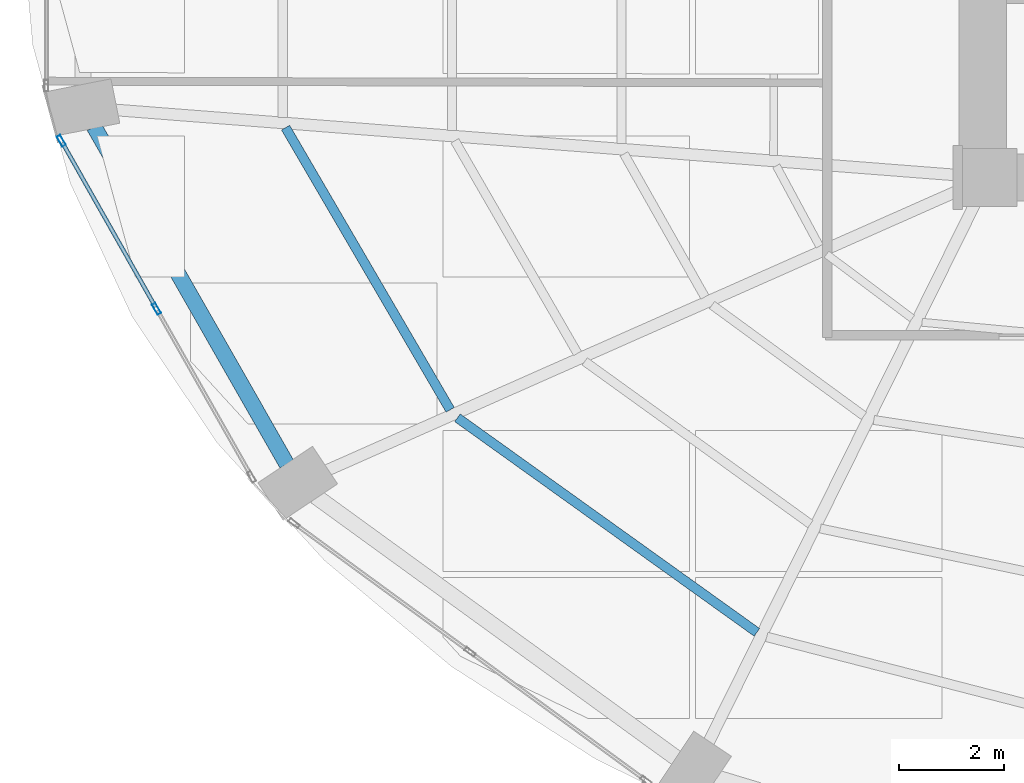
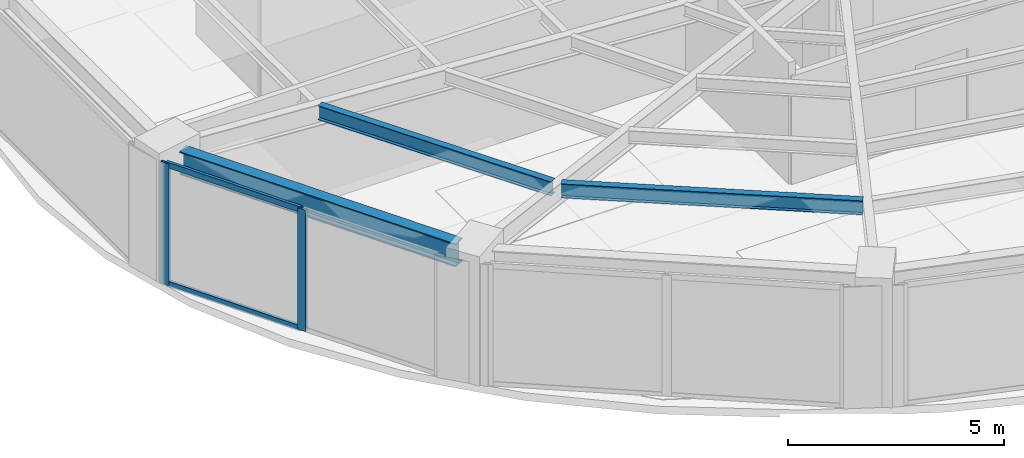
# One storey, part 3 of 24: 4 members, 3 beams, 1 element without a shape of its own.
"""IFC4 building model written with IfcOpenShell, lengths in metres."""

from ifc_helpers import new_model, si_unit, direction, frame, origin, origin_2d, place, context, subcontext, project, spatial, hollow_rectangle, i_section, extrude, material, layer, layer_set, material_profile, profile_set, type_object, element, aggregate, save


model = new_model("IFC4")

# Units and contexts
model_context = context("Model", 3, precision=1e-05, world=origin(), true_north=direction((0.0, 1.0)))
body_context = subcontext(model_context, "Body", "Model", "MODEL_VIEW")
ifc_project = project(units=[si_unit("LENGTHUNIT", "METRE"), si_unit("AREAUNIT", "SQUARE_METRE"), si_unit("VOLUMEUNIT", "CUBIC_METRE"), si_unit("PLANEANGLEUNIT", "RADIAN"), si_unit("MASSUNIT", "GRAM", prefix="KILO")], contexts=[model_context])

# Site, building, storey
site_placement = place(None, origin())
site = spatial("IfcSite", under=ifc_project, at=site_placement, CompositionType="ELEMENT")
building_placement = place(site_placement, origin())
building = spatial("IfcBuilding", under=site, at=building_placement, Name="Lazwardi Medical Tower", CompositionType="ELEMENT")
storey_placement = place(building_placement, frame((0.0, 0.0, 68.97607421875)))
storey = spatial("IfcBuildingStorey", under=building, at=storey_placement, Name="L17", CompositionType="ELEMENT", Elevation=68.97607421875)

# Beams
ifc_material_1 = material(Name="Steel S355", Category="steel")
ifc_material_profile_1 = material_profile(ifc_material_1, i_section(OverallWidth=0.300048828125, OverallDepth=0.64990234375, WebThickness=0.01611328125, FlangeThickness=0.031005859375, at=origin_2d()), Name="HEB 650")
ifc_profile_set_1 = profile_set([ifc_material_profile_1], Name="Steel S355")
beam_type_1 = type_object("IfcBeamType", Name="BM-RB-Z1", PredefinedType="BEAM", material=ifc_profile_set_1)
beam_1_placement = place(storey_placement, frame((9.408203125, 21.36767578125, 3.10302734375), z_axis=(0.49581512241, -0.868428099724, 0.0), x_axis=(0.868428099724, 0.49581512241, 0.0)))
element("IfcBeam", 1, at=beam_1_placement, inside=storey, type_object=beam_type_1, Name="Ring beam RB-02 B13 L17", PredefinedType="BEAM", context=body_context, shape_type="SweptSolid", body=[
    extrude(i_section(OverallWidth=0.300048828125, OverallDepth=0.64990234375, WebThickness=0.01611328125, FlangeThickness=0.031005859375, at=origin_2d()), origin(), (0.0, 0.0, 1.0), 7.389404296875),
])
ifc_material_profile_2 = material_profile(ifc_material_1, i_section(OverallWidth=0.179931640625, OverallDepth=0.39990234375, WebThickness=0.008544921875, FlangeThickness=0.013427734375, at=origin_2d()), Name="IPE 400")
ifc_profile_set_2 = profile_set([ifc_material_profile_2], Name="Steel S355")
beam_type_2 = type_object("IfcBeamType", Name="BM-SJ-01", PredefinedType="JOIST", material=ifc_profile_set_2)
beam_2_placement = place(storey_placement, frame((13.048828125, 21.34765625, 3.22802734375), z_axis=(0.503846579557, -0.863793160582, 0.0), x_axis=(0.863793160582, 0.503846579557, 0.0)))
element("IfcBeam", 2, at=beam_2_placement, inside=storey, type_object=beam_type_2, Name="Secondary joist SJ-01 R1 B13 L17", PredefinedType="JOIST", context=body_context, shape_type="SweptSolid", body=[
    extrude(i_section(OverallWidth=0.179931640625, OverallDepth=0.39990234375, WebThickness=0.008544921875, FlangeThickness=0.013427734375, at=origin_2d()), origin(), (0.0, 0.0, 1.0), 6.20947265625),
])
beam_3_placement = place(storey_placement, frame((16.31591796875, 15.83203125, 3.22802734375), z_axis=(0.812901036873, -0.582401840872, 0.0), x_axis=(0.582401840872, 0.812901036873, 0.0)))
element("IfcBeam", 3, at=beam_3_placement, inside=storey, type_object=beam_type_2, Name="Secondary joist SJ-01 R1 B14 L17", PredefinedType="JOIST", context=body_context, shape_type="SweptSolid", body=[
    extrude(i_section(OverallWidth=0.179931640625, OverallDepth=0.39990234375, WebThickness=0.008544921875, FlangeThickness=0.013427734375, at=origin_2d()), origin(), (0.0, 0.0, 1.0), 7.002197265625),
])

# Curtain wall, members
ifc_material_2 = material(Name="Anodised bronze aluminium and solar control glazing", Category="aluminium")
ifc_layer = layer(ifc_material_2, 0.199951171875)
ifc_layer_set = layer_set([ifc_layer], Name="Anodised bronze aluminium and solar control glazing")
curtain_wall_type = type_object("IfcCurtainWallType", Name="CW-SYS-02", PredefinedType="NOTDEFINED", material=ifc_layer_set)
curtain_wall_placement = place(storey_placement, origin())
curtain_wall = element("IfcCurtainWall", 4, at=curtain_wall_placement, inside=storey, type_object=curtain_wall_type, Name="L17 Unitised bronze curtain wall CW-02", PredefinedType="NOTDEFINED")
ifc_material_3 = material(Name="Anodised bronze aluminium", Category="aluminium")
ifc_material_profile_3 = material_profile(ifc_material_3, hollow_rectangle(XDim=0.074951171875, YDim=0.219970703125, WallThickness=0.00390625, at=origin_2d()), Name="ALU-MULLION 220x75x4")
ifc_profile_set_3 = profile_set([ifc_material_profile_3], Name="Anodised bronze aluminium")
member_type_1 = type_object("IfcMemberType", Name="CW-MUL-01", PredefinedType="MULLION", material=ifc_profile_set_3)
member_1_placement = place(storey_placement, frame((8.785888671875, 21.09765625, 0.0), z_axis=(0.0, 0.0, 1.0), x_axis=(0.870111838823, 0.492854327303, 0.0)))
member_1 = element("IfcMember", 5, at=member_1_placement, type_object=member_type_1, Name="CW-02 mullion 1", PredefinedType="MULLION", context=body_context, shape_type="SweptSolid", body=[
    extrude(hollow_rectangle(XDim=0.074951171875, YDim=0.219970703125, WallThickness=0.00390625, at=origin_2d()), origin(), (0.0, 0.0, 1.0), 3.427978515625),
])
member_2_placement = place(storey_placement, frame((10.5947265625, 17.904541015625, 0.0), z_axis=(0.0, 0.0, 1.0), x_axis=(0.870111838823, 0.492854327303, 0.0)))
member_2 = element("IfcMember", 6, at=member_2_placement, type_object=member_type_1, Name="CW-02 mullion 2", PredefinedType="MULLION", context=body_context, shape_type="SweptSolid", body=[
    extrude(hollow_rectangle(XDim=0.074951171875, YDim=0.219970703125, WallThickness=0.00390625, at=origin_2d()), origin(), (0.0, 0.0, 1.0), 3.427978515625),
])
ifc_material_profile_4 = material_profile(ifc_material_3, hollow_rectangle(XDim=0.074951171875, YDim=0.159912109375, WallThickness=0.00390625, at=origin_2d()), Name="ALU-TRANSOM 160x75x4")
ifc_profile_set_4 = profile_set([ifc_material_profile_4], Name="Anodised bronze aluminium")
member_type_2 = type_object("IfcMemberType", Name="CW-TRN-01", PredefinedType="USERDEFINED", material=ifc_profile_set_4)
member_3_placement = place(storey_placement, frame((8.804443359375, 21.06494140625, 0.037353515625), z_axis=(0.492880614687, -0.870096948429, 0.0), x_axis=(0.870096948429, 0.492880614687, 0.0)))
member_3 = element("IfcMember", 7, at=member_3_placement, type_object=member_type_2, Name="CW-02 transom 1.1", ObjectType="TRANSOM", PredefinedType="USERDEFINED", context=body_context, shape_type="SweptSolid", body=[
    extrude(hollow_rectangle(XDim=0.074951171875, YDim=0.159912109375, WallThickness=0.00390625, at=origin_2d()), origin(), (0.0, 0.0, 1.0), 3.5947265625),
])
member_4_placement = place(storey_placement, frame((8.804443359375, 21.06494140625, 3.390380859375), z_axis=(0.492880614687, -0.870096948429, 0.0), x_axis=(0.870096948429, 0.492880614687, 0.0)))
member_4 = element("IfcMember", 8, at=member_4_placement, type_object=member_type_2, Name="CW-02 transom 1.2", ObjectType="TRANSOM", PredefinedType="USERDEFINED", context=body_context, shape_type="SweptSolid", body=[
    extrude(hollow_rectangle(XDim=0.074951171875, YDim=0.159912109375, WallThickness=0.00390625, at=origin_2d()), origin(), (0.0, 0.0, 1.0), 3.5947265625),
])
aggregate(curtain_wall, [member_1, member_2, member_3, member_4])

save(model, "model.ifc")
